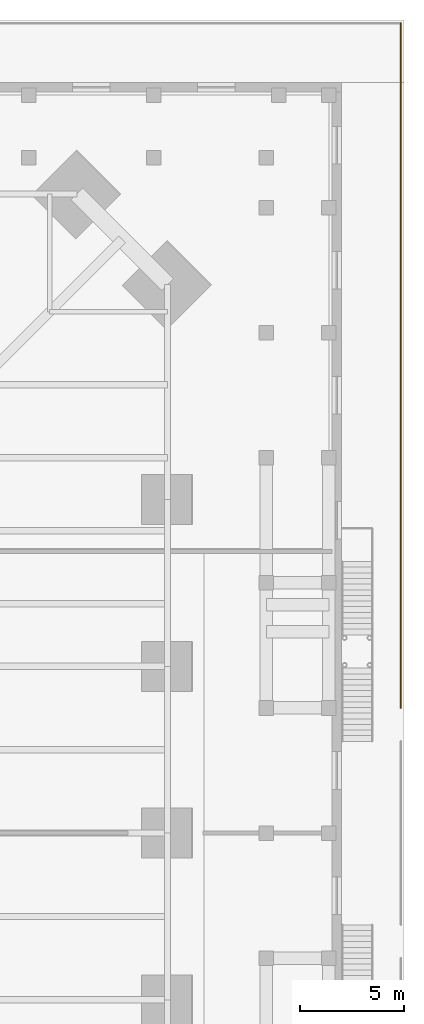
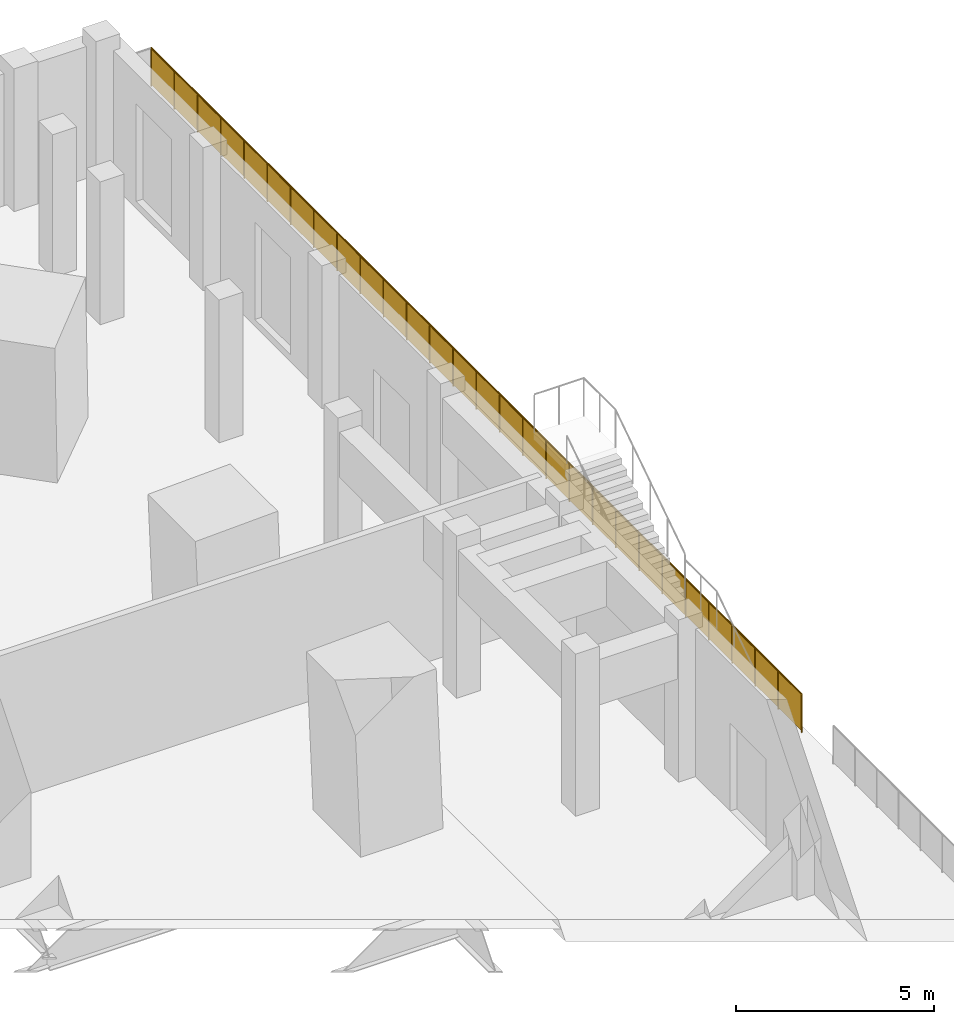
# One storey, part 21 of 22: 1 railing.
"""IFC4 building model written with IfcOpenShell, lengths in metres."""

from ifc_helpers import new_model, si_unit, direction, frame, origin, origin_2d, place, context, subcontext, project, spatial, rectangle, circle, extrude, material, type_object, element, save


model = new_model("IFC4")

# Units and contexts
model_context = context("Model", 3, precision=1e-05, world=origin(), true_north=direction((0.0, 1.0)))
body_context = subcontext(model_context, "Body", "Model", "MODEL_VIEW")
ifc_project = project(units=[si_unit("LENGTHUNIT", "METRE"), si_unit("AREAUNIT", "SQUARE_METRE"), si_unit("VOLUMEUNIT", "CUBIC_METRE"), si_unit("PLANEANGLEUNIT", "RADIAN"), si_unit("MASSUNIT", "GRAM", prefix="KILO")], contexts=[model_context])

# Site, building, storey
site_placement = place(None, origin())
site = spatial("IfcSite", under=ifc_project, at=site_placement, CompositionType="ELEMENT")
building_placement = place(site_placement, origin())
building = spatial("IfcBuilding", under=site, at=building_placement, Name="Peilmerk Tower", CompositionType="ELEMENT")
storey_placement = place(building_placement, frame((0.0, 0.0, 6.0)))
storey = spatial("IfcBuildingStorey", under=building, at=storey_placement, Name="L01", CompositionType="ELEMENT", Elevation=6.0)

# Railing
ifc_material = material(Name="Galvanised steel posts and top rail, laminated glass infill 16", Category="steel")
railing_type = type_object("IfcRailingType", Name="GR2 1200 terrace balustrade", PredefinedType="BALUSTRADE", material=ifc_material)
railing_placement = place(storey_placement, frame((41.85009765625, 6.0, 0.0)))
element("IfcRailing", 1, at=railing_placement, inside=storey, type_object=railing_type, Name="Terrace balustrade L01", PredefinedType="BALUSTRADE", context=body_context, shape_type="SweptSolid", body=[
    extrude(circle(Radius=0.02392578125, at=origin_2d()), frame((0.0, 0.0, 1.17578125), z_axis=(0.0, 1.0, 0.0), x_axis=(-1.0, 0.0, 0.0)), (0.0, 0.0, 1.0), 32.85009765625),
    extrude(circle(Radius=0.02099609375, at=origin_2d()), origin(), (0.0, 0.0, 1.0), 1.15185546875),
    extrude(circle(Radius=0.02099609375, at=origin_2d()), frame((0.0, 1.17333984375, 0.0)), (0.0, 0.0, 1.0), 1.15185546875),
    extrude(circle(Radius=0.02099609375, at=origin_2d()), frame((0.0, 2.346435546875, 0.0)), (0.0, 0.0, 1.0), 1.15185546875),
    extrude(circle(Radius=0.02099609375, at=origin_2d()), frame((0.0, 3.51953125, 0.0)), (0.0, 0.0, 1.0), 1.15185546875),
    extrude(circle(Radius=0.02099609375, at=origin_2d()), frame((0.0, 4.69287109375, 0.0)), (0.0, 0.0, 1.0), 1.15185546875),
    extrude(circle(Radius=0.02099609375, at=origin_2d()), frame((0.0, 5.8662109375, 0.0)), (0.0, 0.0, 1.0), 1.15185546875),
    extrude(circle(Radius=0.02099609375, at=origin_2d()), frame((0.0, 7.039306640625, 0.0)), (0.0, 0.0, 1.0), 1.15185546875),
    extrude(circle(Radius=0.02099609375, at=origin_2d()), frame((0.0, 8.21240234375, 0.0)), (0.0, 0.0, 1.0), 1.15185546875),
    extrude(circle(Radius=0.02099609375, at=origin_2d()), frame((0.0, 9.3857421875, 0.0)), (0.0, 0.0, 1.0), 1.15185546875),
    extrude(circle(Radius=0.02099609375, at=origin_2d()), frame((0.0, 10.55908203125, 0.0)), (0.0, 0.0, 1.0), 1.15185546875),
    extrude(circle(Radius=0.02099609375, at=origin_2d()), frame((0.0, 11.732177734375, 0.0)), (0.0, 0.0, 1.0), 1.15185546875),
    extrude(circle(Radius=0.02099609375, at=origin_2d()), frame((0.0, 12.9052734375, 0.0)), (0.0, 0.0, 1.0), 1.15185546875),
    extrude(circle(Radius=0.02099609375, at=origin_2d()), frame((0.0, 14.07861328125, 0.0)), (0.0, 0.0, 1.0), 1.15185546875),
    extrude(circle(Radius=0.02099609375, at=origin_2d()), frame((0.0, 15.251953125, 0.0)), (0.0, 0.0, 1.0), 1.15185546875),
    extrude(circle(Radius=0.02099609375, at=origin_2d()), frame((0.0, 16.425048828125, 0.0)), (0.0, 0.0, 1.0), 1.15185546875),
    extrude(circle(Radius=0.02099609375, at=origin_2d()), frame((0.0, 17.59814453125, 0.0)), (0.0, 0.0, 1.0), 1.15185546875),
    extrude(circle(Radius=0.02099609375, at=origin_2d()), frame((0.0, 18.771484375, 0.0)), (0.0, 0.0, 1.0), 1.15185546875),
    extrude(circle(Radius=0.02099609375, at=origin_2d()), frame((0.0, 19.94482421875, 0.0)), (0.0, 0.0, 1.0), 1.15185546875),
    extrude(circle(Radius=0.02099609375, at=origin_2d()), frame((0.0, 21.117919921875, 0.0)), (0.0, 0.0, 1.0), 1.15185546875),
    extrude(circle(Radius=0.02099609375, at=origin_2d()), frame((0.0, 22.291015625, 0.0)), (0.0, 0.0, 1.0), 1.15185546875),
    extrude(circle(Radius=0.02099609375, at=origin_2d()), frame((0.0, 23.46435546875, 0.0)), (0.0, 0.0, 1.0), 1.15185546875),
    extrude(circle(Radius=0.02099609375, at=origin_2d()), frame((0.0, 24.6376953125, 0.0)), (0.0, 0.0, 1.0), 1.15185546875),
    extrude(circle(Radius=0.02099609375, at=origin_2d()), frame((0.0, 25.810791015625, 0.0)), (0.0, 0.0, 1.0), 1.15185546875),
    extrude(circle(Radius=0.02099609375, at=origin_2d()), frame((0.0, 26.98388671875, 0.0)), (0.0, 0.0, 1.0), 1.15185546875),
    extrude(circle(Radius=0.02099609375, at=origin_2d()), frame((0.0, 28.1572265625, 0.0)), (0.0, 0.0, 1.0), 1.15185546875),
    extrude(circle(Radius=0.02099609375, at=origin_2d()), frame((0.0, 29.33056640625, 0.0)), (0.0, 0.0, 1.0), 1.15185546875),
    extrude(circle(Radius=0.02099609375, at=origin_2d()), frame((0.0, 30.503662109375, 0.0)), (0.0, 0.0, 1.0), 1.15185546875),
    extrude(circle(Radius=0.02099609375, at=origin_2d()), frame((0.0, 31.6767578125, 0.0)), (0.0, 0.0, 1.0), 1.15185546875),
    extrude(circle(Radius=0.02099609375, at=origin_2d()), frame((0.0, 32.85009765625, 0.0)), (0.0, 0.0, 1.0), 1.15185546875),
    extrude(rectangle(XDim=1.13134765625, YDim=0.01611328125, at=origin_2d()), frame((0.0, 0.586669921875, 0.050048828125), z_axis=(0.0, 0.0, 1.0), x_axis=(0.0, 1.0, 0.0)), (0.0, 0.0, 1.0), 1.101806640625),
    extrude(rectangle(XDim=1.13134765625, YDim=0.01611328125, at=origin_2d()), frame((0.0, 1.759765625, 0.050048828125), z_axis=(0.0, 0.0, 1.0), x_axis=(0.0, 1.0, 0.0)), (0.0, 0.0, 1.0), 1.101806640625),
    extrude(rectangle(XDim=1.13134765625, YDim=0.01611328125, at=origin_2d()), frame((0.0, 2.93310546875, 0.050048828125), z_axis=(0.0, 0.0, 1.0), x_axis=(0.0, 1.0, 0.0)), (0.0, 0.0, 1.0), 1.101806640625),
    extrude(rectangle(XDim=1.13134765625, YDim=0.01611328125, at=origin_2d()), frame((0.0, 4.106201171875, 0.050048828125), z_axis=(0.0, 0.0, 1.0), x_axis=(0.0, 1.0, 0.0)), (0.0, 0.0, 1.0), 1.101806640625),
    extrude(rectangle(XDim=1.13134765625, YDim=0.01611328125, at=origin_2d()), frame((0.0, 5.279541015625, 0.050048828125), z_axis=(0.0, 0.0, 1.0), x_axis=(0.0, 1.0, 0.0)), (0.0, 0.0, 1.0), 1.101806640625),
    extrude(rectangle(XDim=1.13134765625, YDim=0.01611328125, at=origin_2d()), frame((0.0, 6.45263671875, 0.050048828125), z_axis=(0.0, 0.0, 1.0), x_axis=(0.0, 1.0, 0.0)), (0.0, 0.0, 1.0), 1.101806640625),
    extrude(rectangle(XDim=1.13134765625, YDim=0.01611328125, at=origin_2d()), frame((0.0, 7.6259765625, 0.050048828125), z_axis=(0.0, 0.0, 1.0), x_axis=(0.0, 1.0, 0.0)), (0.0, 0.0, 1.0), 1.101806640625),
    extrude(rectangle(XDim=1.13134765625, YDim=0.01611328125, at=origin_2d()), frame((0.0, 8.799072265625, 0.050048828125), z_axis=(0.0, 0.0, 1.0), x_axis=(0.0, 1.0, 0.0)), (0.0, 0.0, 1.0), 1.101806640625),
    extrude(rectangle(XDim=1.13134765625, YDim=0.01611328125, at=origin_2d()), frame((0.0, 9.972412109375, 0.050048828125), z_axis=(0.0, 0.0, 1.0), x_axis=(0.0, 1.0, 0.0)), (0.0, 0.0, 1.0), 1.101806640625),
    extrude(rectangle(XDim=1.13134765625, YDim=0.01611328125, at=origin_2d()), frame((0.0, 11.1455078125, 0.050048828125), z_axis=(0.0, 0.0, 1.0), x_axis=(0.0, 1.0, 0.0)), (0.0, 0.0, 1.0), 1.101806640625),
    extrude(rectangle(XDim=1.13134765625, YDim=0.01611328125, at=origin_2d()), frame((0.0, 12.31884765625, 0.050048828125), z_axis=(0.0, 0.0, 1.0), x_axis=(0.0, 1.0, 0.0)), (0.0, 0.0, 1.0), 1.101806640625),
    extrude(rectangle(XDim=1.13134765625, YDim=0.01611328125, at=origin_2d()), frame((0.0, 13.491943359375, 0.050048828125), z_axis=(0.0, 0.0, 1.0), x_axis=(0.0, 1.0, 0.0)), (0.0, 0.0, 1.0), 1.101806640625),
    extrude(rectangle(XDim=1.13134765625, YDim=0.01611328125, at=origin_2d()), frame((0.0, 14.665283203125, 0.050048828125), z_axis=(0.0, 0.0, 1.0), x_axis=(0.0, 1.0, 0.0)), (0.0, 0.0, 1.0), 1.101806640625),
    extrude(rectangle(XDim=1.13134765625, YDim=0.01611328125, at=origin_2d()), frame((0.0, 15.83837890625, 0.050048828125), z_axis=(0.0, 0.0, 1.0), x_axis=(0.0, 1.0, 0.0)), (0.0, 0.0, 1.0), 1.101806640625),
    extrude(rectangle(XDim=1.13134765625, YDim=0.01611328125, at=origin_2d()), frame((0.0, 17.01171875, 0.050048828125), z_axis=(0.0, 0.0, 1.0), x_axis=(0.0, 1.0, 0.0)), (0.0, 0.0, 1.0), 1.101806640625),
    extrude(rectangle(XDim=1.13134765625, YDim=0.01611328125, at=origin_2d()), frame((0.0, 18.184814453125, 0.050048828125), z_axis=(0.0, 0.0, 1.0), x_axis=(0.0, 1.0, 0.0)), (0.0, 0.0, 1.0), 1.101806640625),
    extrude(rectangle(XDim=1.13134765625, YDim=0.01611328125, at=origin_2d()), frame((0.0, 19.358154296875, 0.050048828125), z_axis=(0.0, 0.0, 1.0), x_axis=(0.0, 1.0, 0.0)), (0.0, 0.0, 1.0), 1.101806640625),
    extrude(rectangle(XDim=1.13134765625, YDim=0.01611328125, at=origin_2d()), frame((0.0, 20.53125, 0.050048828125), z_axis=(0.0, 0.0, 1.0), x_axis=(0.0, 1.0, 0.0)), (0.0, 0.0, 1.0), 1.101806640625),
    extrude(rectangle(XDim=1.13134765625, YDim=0.01611328125, at=origin_2d()), frame((0.0, 21.70458984375, 0.050048828125), z_axis=(0.0, 0.0, 1.0), x_axis=(0.0, 1.0, 0.0)), (0.0, 0.0, 1.0), 1.101806640625),
    extrude(rectangle(XDim=1.13134765625, YDim=0.01611328125, at=origin_2d()), frame((0.0, 22.877685546875, 0.050048828125), z_axis=(0.0, 0.0, 1.0), x_axis=(0.0, 1.0, 0.0)), (0.0, 0.0, 1.0), 1.101806640625),
    extrude(rectangle(XDim=1.13134765625, YDim=0.01611328125, at=origin_2d()), frame((0.0, 24.051025390625, 0.050048828125), z_axis=(0.0, 0.0, 1.0), x_axis=(0.0, 1.0, 0.0)), (0.0, 0.0, 1.0), 1.101806640625),
    extrude(rectangle(XDim=1.13134765625, YDim=0.01611328125, at=origin_2d()), frame((0.0, 25.22412109375, 0.050048828125), z_axis=(0.0, 0.0, 1.0), x_axis=(0.0, 1.0, 0.0)), (0.0, 0.0, 1.0), 1.101806640625),
    extrude(rectangle(XDim=1.13134765625, YDim=0.01611328125, at=origin_2d()), frame((0.0, 26.3974609375, 0.050048828125), z_axis=(0.0, 0.0, 1.0), x_axis=(0.0, 1.0, 0.0)), (0.0, 0.0, 1.0), 1.101806640625),
    extrude(rectangle(XDim=1.13134765625, YDim=0.01611328125, at=origin_2d()), frame((0.0, 27.570556640625, 0.050048828125), z_axis=(0.0, 0.0, 1.0), x_axis=(0.0, 1.0, 0.0)), (0.0, 0.0, 1.0), 1.101806640625),
    extrude(rectangle(XDim=1.13134765625, YDim=0.01611328125, at=origin_2d()), frame((0.0, 28.743896484375, 0.050048828125), z_axis=(0.0, 0.0, 1.0), x_axis=(0.0, 1.0, 0.0)), (0.0, 0.0, 1.0), 1.101806640625),
    extrude(rectangle(XDim=1.13134765625, YDim=0.01611328125, at=origin_2d()), frame((0.0, 29.9169921875, 0.050048828125), z_axis=(0.0, 0.0, 1.0), x_axis=(0.0, 1.0, 0.0)), (0.0, 0.0, 1.0), 1.101806640625),
    extrude(rectangle(XDim=1.13134765625, YDim=0.01611328125, at=origin_2d()), frame((0.0, 31.09033203125, 0.050048828125), z_axis=(0.0, 0.0, 1.0), x_axis=(0.0, 1.0, 0.0)), (0.0, 0.0, 1.0), 1.101806640625),
    extrude(rectangle(XDim=1.13134765625, YDim=0.01611328125, at=origin_2d()), frame((0.0, 32.263427734375, 0.050048828125), z_axis=(0.0, 0.0, 1.0), x_axis=(0.0, 1.0, 0.0)), (0.0, 0.0, 1.0), 1.101806640625),
])

save(model, "model.ifc")
